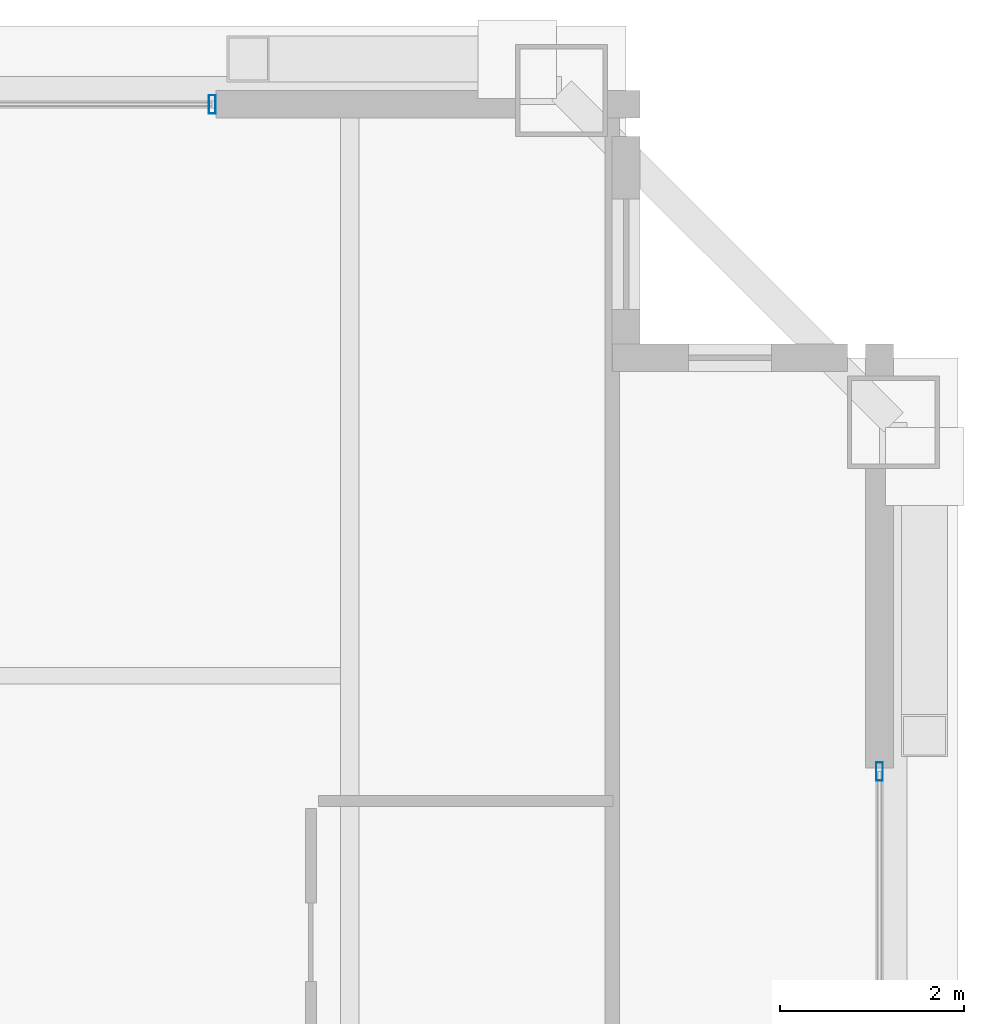
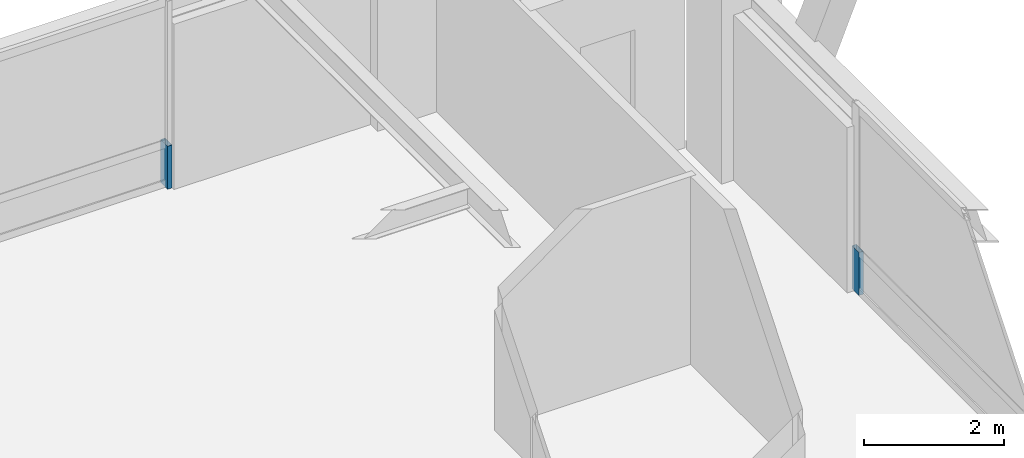
# One storey, part 26 of 33: 2 members, 2 elements without a shape of their own.
"""IFC4 building model written with IfcOpenShell, lengths in metres."""

from ifc_helpers import new_model, si_unit, direction, frame, origin, origin_2d, place, context, subcontext, project, spatial, hollow_rectangle, extrude, source, transform, mapped, material, layer, layer_set, material_profile, profile_set, type_object, element, aggregate, save


model = new_model("IFC4")

# Units and contexts
model_context = context("Model", 3, precision=1e-05, world=origin(), true_north=direction((0.0, 1.0)))
body_context = subcontext(model_context, "Body", "Model", "MODEL_VIEW")
ifc_project = project(units=[si_unit("LENGTHUNIT", "METRE"), si_unit("AREAUNIT", "SQUARE_METRE"), si_unit("VOLUMEUNIT", "CUBIC_METRE"), si_unit("PLANEANGLEUNIT", "RADIAN"), si_unit("MASSUNIT", "GRAM", prefix="KILO"), si_unit("THERMODYNAMICTEMPERATUREUNIT", "KELVIN"), si_unit("POWERUNIT", "WATT")], contexts=[model_context])

# Site, building, storey
site_placement = place(None, origin())
site = spatial("IfcSite", under=ifc_project, at=site_placement, CompositionType="ELEMENT")
building_placement = place(site_placement, origin())
building = spatial("IfcBuilding", under=site, at=building_placement, Name="Yuzanri Waterfront Tower", CompositionType="ELEMENT")
storey_placement = place(building_placement, frame((0.0, 0.0, 321.699951171875)))
storey = spatial("IfcBuildingStorey", under=building, at=storey_placement, Name="L86", CompositionType="ELEMENT", Elevation=321.699951171875)

# Curtain wall, member
ifc_material_1 = material(Name="Anodized Architectural Bronze", Category="metal")
ifc_layer = layer(ifc_material_1, 0.159912109375)
ifc_layer_set = layer_set([ifc_layer], Name="Anodized Architectural Bronze")
curtain_wall_type = type_object("IfcCurtainWallType", Name="Anodized Bronze High-Rise Penthouse High-Wind Unitized Curtain Wall 6900", PredefinedType="NOTDEFINED", material=ifc_layer_set)
curtain_wall_1_placement = place(storey_placement, origin())
curtain_wall_1 = element("IfcCurtainWall", 1, at=curtain_wall_1_placement, inside=storey, type_object=curtain_wall_type, Name="L86 Curtain Wall CW-L86-NR", PredefinedType="NOTDEFINED")
ifc_material_2 = material(Name="Anodized Architectural Bronze", Category="metal")
ifc_material_profile = material_profile(ifc_material_2, hollow_rectangle(XDim=0.074951171875, YDim=0.199951171875, WallThickness=0.00390625, at=origin_2d()), Name="CWM 75x200")
ifc_profile_set = profile_set([ifc_material_profile], Name="Anodized Architectural Bronze")
member_type = type_object("IfcMemberType", Name="Anodized Bronze Primary Curtain-Wall Mullion 75x200", PredefinedType="MULLION", material=ifc_profile_set)
shared_shape = source(origin(), body_context, "Body", "SweptSolid", [
    extrude(hollow_rectangle(XDim=0.074951171875, YDim=0.199951171875, WallThickness=0.00390625, at=origin_2d()), origin(), (0.0, 0.0, 1.0), 0.751953125),
])
member_1_placement = place(storey_placement, frame((48.7099609375, 44.75, 0.0), z_axis=(0.0, 0.0, 1.0), x_axis=(1.0, 0.0, 0.0)))
member_1 = element("IfcMember", 2, at=member_1_placement, type_object=member_type, Name="CW-L86-NR Lower Mullion 02", PredefinedType="MULLION", context=body_context, shape_type="MappedRepresentation", body=[
    mapped(shared_shape, transform((0.0, 0.0, 0.0), scale=1.0)),
])
aggregate(curtain_wall_1, [member_1])

curtain_wall_2_placement = place(storey_placement, origin())
curtain_wall_2 = element("IfcCurtainWall", 3, at=curtain_wall_2_placement, inside=storey, type_object=curtain_wall_type, Name="L86 Curtain Wall CW-L86-ER", PredefinedType="NOTDEFINED")
member_2_placement = place(storey_placement, frame((55.949951171875, 37.510009765625, 0.0), z_axis=(0.0, 0.0, 1.0), x_axis=(1.0, 0.0, 0.0)))
member_2 = element("IfcMember", 4, at=member_2_placement, type_object=member_type, Name="CW-L86-ER Lower Mullion 02", PredefinedType="MULLION", context=body_context, shape_type="MappedRepresentation", body=[
    mapped(shared_shape, transform((0.0, 0.0, 0.0), scale=1.0)),
])
aggregate(curtain_wall_2, [member_2])

save(model, "model.ifc")
